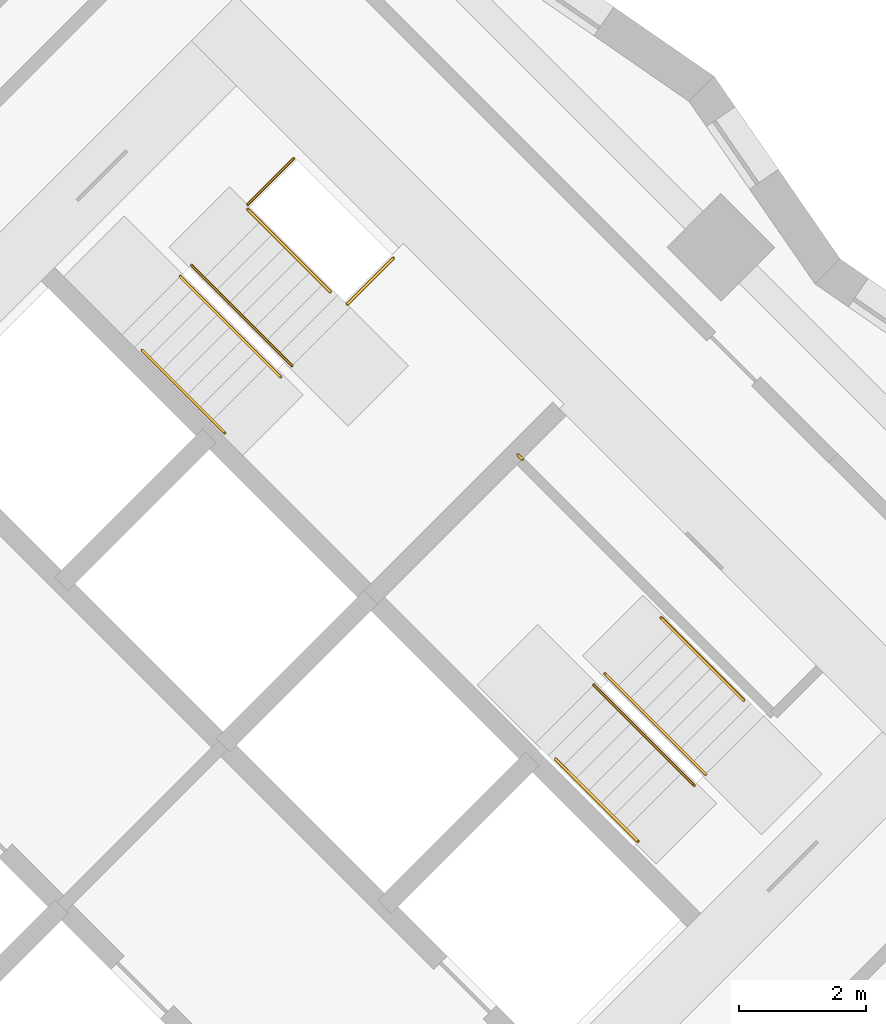
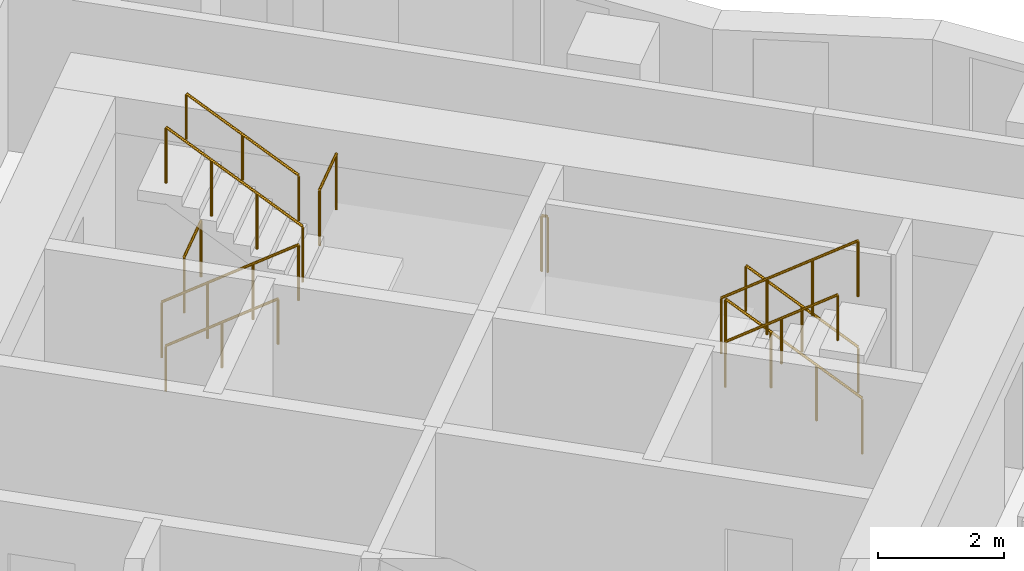
# One storey, part 13 of 13: 11 railings.
"""IFC4 building model written with IfcOpenShell, lengths in metres."""

from ifc_helpers import new_model, si_unit, direction, frame, origin, origin_2d, place, context, subcontext, project, spatial, circle, extrude, material, type_object, element, save


model = new_model("IFC4")

# Units and contexts
model_context = context("Model", 3, precision=1e-05, world=origin(), true_north=direction((0.0, 1.0)))
body_context = subcontext(model_context, "Body", "Model", "MODEL_VIEW")
ifc_project = project(units=[si_unit("LENGTHUNIT", "METRE"), si_unit("AREAUNIT", "SQUARE_METRE"), si_unit("VOLUMEUNIT", "CUBIC_METRE"), si_unit("PLANEANGLEUNIT", "RADIAN"), si_unit("MASSUNIT", "GRAM", prefix="KILO")], contexts=[model_context])

# Site, building, storey
site_placement = place(None, origin())
site = spatial("IfcSite", under=ifc_project, at=site_placement, CompositionType="ELEMENT")
building_placement = place(site_placement, origin())
building = spatial("IfcBuilding", under=site, at=building_placement, Name="Windrow Commons", CompositionType="ELEMENT")
storey_placement = place(building_placement, frame((0.0, 0.0, 64.4)))
storey = spatial("IfcBuildingStorey", under=building, at=storey_placement, Name="L17", CompositionType="ELEMENT", Elevation=64.4)

# Railings
ifc_material_1 = material(Name="Steel S355", Category="steel")
railing_type_1 = type_object("IfcRailingType", Name="Core stair guard 1100", PredefinedType="GUARDRAIL", material=ifc_material_1)
railing_1_placement = place(storey_placement, frame((85.9529, 56.2669, 0.1889)))
element("IfcRailing", 1, at=railing_1_placement, inside=storey, type_object=railing_type_1, Name="L17 ST-B1 stair guard 1", PredefinedType="GUARDRAIL", context=body_context, shape_type="SweptSolid", body=[
    extrude(circle(Radius=0.024, at=origin_2d()), frame((0.0, 0.0, 1.076), z_axis=(0.5861914914, -0.5861914914, 0.5592486664), x_axis=(0.7071067812, 0.7071067812, 0.0)), (0.0, 0.0, 1.0), 2.702),
    extrude(circle(Radius=0.021, at=origin_2d()), origin(), (0.0, 0.0, 1.0), 1.052),
    extrude(circle(Radius=0.021, at=origin_2d()), frame((0.528, -0.528, 0.5037)), (0.0, 0.0, 1.0), 1.052),
    extrude(circle(Radius=0.021, at=origin_2d()), frame((1.0559, -1.0559, 1.0074)), (0.0, 0.0, 1.0), 1.052),
    extrude(circle(Radius=0.021, at=origin_2d()), frame((1.5839, -1.5839, 1.5111)), (0.0, 0.0, 1.0), 1.052),
])
railing_2_placement = place(storey_placement, frame((87.7136, 54.8597, 1.8889)))
element("IfcRailing", 2, at=railing_2_placement, inside=storey, type_object=railing_type_1, Name="L17 ST-B1 stair guard 2", PredefinedType="GUARDRAIL", context=body_context, shape_type="SweptSolid", body=[
    extrude(circle(Radius=0.024, at=origin_2d()), frame((0.0, 0.0, 1.076), z_axis=(-0.5862030657, 0.5862030657, 0.5592244018), x_axis=(-0.7071067812, -0.7071067812, 0.0)), (0.0, 0.0, 1.0), 2.7021),
    extrude(circle(Radius=0.021, at=origin_2d()), origin(), (0.0, 0.0, 1.0), 1.052),
    extrude(circle(Radius=0.021, at=origin_2d()), frame((-0.528, 0.528, 0.5037)), (0.0, 0.0, 1.0), 1.052),
    extrude(circle(Radius=0.021, at=origin_2d()), frame((-1.056, 1.056, 1.0074)), (0.0, 0.0, 1.0), 1.052),
    extrude(circle(Radius=0.021, at=origin_2d()), frame((-1.584, 1.584, 1.5111)), (0.0, 0.0, 1.0), 1.052),
])
railing_3_placement = place(storey_placement, frame((87.0135, 57.3982, 0.0)))
element("IfcRailing", 3, at=railing_3_placement, inside=storey, type_object=railing_type_1, Name="L17 ST-B1 stair guard 3", PredefinedType="GUARDRAIL", context=body_context, shape_type="SweptSolid", body=[
    extrude(circle(Radius=0.024, at=origin_2d()), frame((0.0, 0.0, 1.076), z_axis=(0.7070582378, 0.7071553212, 0.0), x_axis=(-0.7071553212, 0.7070582378, 0.0)), (0.0, 0.0, 1.0), 1.03),
    extrude(circle(Radius=0.021, at=origin_2d()), origin(), (0.0, 0.0, 1.0), 1.052),
    extrude(circle(Radius=0.021, at=origin_2d()), frame((0.7283, 0.7284, 0.0)), (0.0, 0.0, 1.0), 1.052),
])
railing_4_placement = place(storey_placement, frame((88.5833, 55.8285, 1.7)))
element("IfcRailing", 4, at=railing_4_placement, inside=storey, type_object=railing_type_1, Name="L17 ST-B1 stair guard 4", PredefinedType="GUARDRAIL", context=body_context, shape_type="SweptSolid", body=[
    extrude(circle(Radius=0.024, at=origin_2d()), frame((0.0, 0.0, 1.076), z_axis=(0.7071067812, 0.7071067812, 0.0), x_axis=(-0.7071067812, 0.7071067812, 0.0)), (0.0, 0.0, 1.0), 1.03),
    extrude(circle(Radius=0.021, at=origin_2d()), origin(), (0.0, 0.0, 1.0), 1.052),
    extrude(circle(Radius=0.021, at=origin_2d()), frame((0.7283, 0.7283, 0.0)), (0.0, 0.0, 1.0), 1.052),
])
railing_5_placement = place(storey_placement, frame((94.2296, 48.4215, 0.1889)))
element("IfcRailing", 5, at=railing_5_placement, inside=storey, type_object=railing_type_1, Name="L17 ST-B2 stair guard 1", PredefinedType="GUARDRAIL", context=body_context, shape_type="SweptSolid", body=[
    extrude(circle(Radius=0.024, at=origin_2d()), frame((0.0, 0.0, 1.076), z_axis=(-0.5862157828, 0.5861787742, 0.5592365337), x_axis=(-0.7070844598, -0.7071291018, 0.0)), (0.0, 0.0, 1.0), 2.7021),
    extrude(circle(Radius=0.021, at=origin_2d()), origin(), (0.0, 0.0, 1.0), 1.052),
    extrude(circle(Radius=0.021, at=origin_2d()), frame((-0.528, 0.528, 0.5037)), (0.0, 0.0, 1.0), 1.052),
    extrude(circle(Radius=0.021, at=origin_2d()), frame((-1.056, 1.0559, 1.0074)), (0.0, 0.0, 1.0), 1.052),
    extrude(circle(Radius=0.021, at=origin_2d()), frame((-1.584, 1.5839, 1.5111)), (0.0, 0.0, 1.0), 1.052),
])
railing_6_placement = place(storey_placement, frame((92.4689, 49.8287, 1.8889)))
element("IfcRailing", 6, at=railing_6_placement, inside=storey, type_object=railing_type_1, Name="L17 ST-B2 stair guard 2", PredefinedType="GUARDRAIL", context=body_context, shape_type="SweptSolid", body=[
    extrude(circle(Radius=0.024, at=origin_2d()), frame((0.0, 0.0, 1.076), z_axis=(0.5861787742, -0.5862157828, 0.5592365337), x_axis=(0.7071291018, 0.7070844598, 0.0)), (0.0, 0.0, 1.0), 2.7021),
    extrude(circle(Radius=0.021, at=origin_2d()), origin(), (0.0, 0.0, 1.0), 1.052),
    extrude(circle(Radius=0.021, at=origin_2d()), frame((0.528, -0.528, 0.5037)), (0.0, 0.0, 1.0), 1.052),
    extrude(circle(Radius=0.021, at=origin_2d()), frame((1.0559, -1.056, 1.0074)), (0.0, 0.0, 1.0), 1.052),
    extrude(circle(Radius=0.021, at=origin_2d()), frame((1.5839, -1.584, 1.5111)), (0.0, 0.0, 1.0), 1.052),
])
railing_7_placement = place(storey_placement, frame((91.3446, 53.3854, 1.7)))
element("IfcRailing", 7, at=railing_7_placement, inside=storey, type_object=railing_type_1, Name="L17 ST-B2 stair guard 3", PredefinedType="GUARDRAIL", context=body_context, shape_type="SweptSolid", body=[
    extrude(circle(Radius=0.024, at=origin_2d()), frame((0.0, 0.0, 1.076), z_axis=(-0.7076063266, 0.7066068826, 0.0), x_axis=(-0.7066068826, -0.7076063266, 0.0)), (0.0, 0.0, 1.0), 0.1001),
    extrude(circle(Radius=0.021, at=origin_2d()), origin(), (0.0, 0.0, 1.0), 1.052),
    extrude(circle(Radius=0.021, at=origin_2d()), frame((-0.0708, 0.0707, 0.0)), (0.0, 0.0, 1.0), 1.052),
])
ifc_material_2 = material(Name="Steel S355", Category="steel")
railing_type_2 = type_object("IfcRailingType", Name="Core stair handrail 900", PredefinedType="HANDRAIL", material=ifc_material_2)
railing_8_placement = place(storey_placement, frame((85.3518, 55.1001, 0.4587)))
element("IfcRailing", 8, at=railing_8_placement, inside=storey, type_object=railing_type_2, Name="L17 ST-B1 stair handrail 1", PredefinedType="HANDRAIL", context=body_context, shape_type="SweptSolid", body=[
    extrude(circle(Radius=0.024, at=origin_2d()), frame((0.0, 0.0, 0.876), z_axis=(0.586206706, -0.5861616513, 0.5592639952), x_axis=(0.7070796062, 0.7071339551, 0.0)), (0.0, 0.0, 1.0), 2.2195),
    extrude(circle(Radius=0.021, at=origin_2d()), origin(), (0.0, 0.0, 1.0), 0.852),
    extrude(circle(Radius=0.021, at=origin_2d()), frame((0.6506, -0.6505, 0.6206)), (0.0, 0.0, 1.0), 0.852),
    extrude(circle(Radius=0.021, at=origin_2d()), frame((1.3011, -1.301, 1.2413)), (0.0, 0.0, 1.0), 0.852),
])
for number, where, name in (
    (9, (88.3146, 56.0265, 2.1587), "L17 ST-B1 stair handrail 2"),
    (10, (94.8306, 49.5883, 0.4587), "L17 ST-B2 stair handrail 1"),
):
    element("IfcRailing", number, at=place(storey_placement, frame(where)), inside=storey, type_object=railing_type_2, Name=name, PredefinedType="HANDRAIL", context=body_context, shape_type="SweptSolid", body=[
        extrude(circle(Radius=0.024, at=origin_2d()), frame((0.0, 0.0, 0.876), z_axis=(-0.586206706, 0.5861616513, 0.5592639952), x_axis=(-0.7070796062, -0.7071339551, 0.0)), (0.0, 0.0, 1.0), 2.2195),
        extrude(circle(Radius=0.021, at=origin_2d()), origin(), (0.0, 0.0, 1.0), 0.852),
        extrude(circle(Radius=0.021, at=origin_2d()), frame((-0.6506, 0.6505, 0.6206)), (0.0, 0.0, 1.0), 0.852),
        extrude(circle(Radius=0.021, at=origin_2d()), frame((-1.3011, 1.301, 1.2413)), (0.0, 0.0, 1.0), 0.852),
    ])
railing_9_placement = place(storey_placement, frame((91.8678, 48.6619, 2.1587)))
element("IfcRailing", 11, at=railing_9_placement, inside=storey, type_object=railing_type_2, Name="L17 ST-B2 stair handrail 2", PredefinedType="HANDRAIL", context=body_context, shape_type="SweptSolid", body=[
    extrude(circle(Radius=0.024, at=origin_2d()), frame((0.0, 0.0, 0.876), z_axis=(0.586206706, -0.5861616513, 0.5592639952), x_axis=(0.7070796062, 0.7071339551, 0.0)), (0.0, 0.0, 1.0), 2.2195),
    extrude(circle(Radius=0.021, at=origin_2d()), origin(), (0.0, 0.0, 1.0), 0.852),
    extrude(circle(Radius=0.021, at=origin_2d()), frame((0.6505, -0.6505, 0.6206)), (0.0, 0.0, 1.0), 0.852),
    extrude(circle(Radius=0.021, at=origin_2d()), frame((1.3011, -1.301, 1.2413)), (0.0, 0.0, 1.0), 0.852),
])

save(model, "model.ifc")
